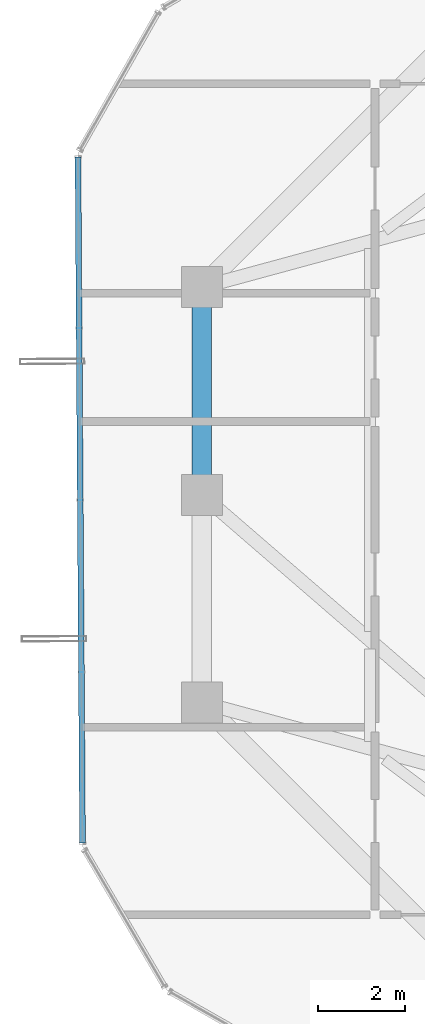
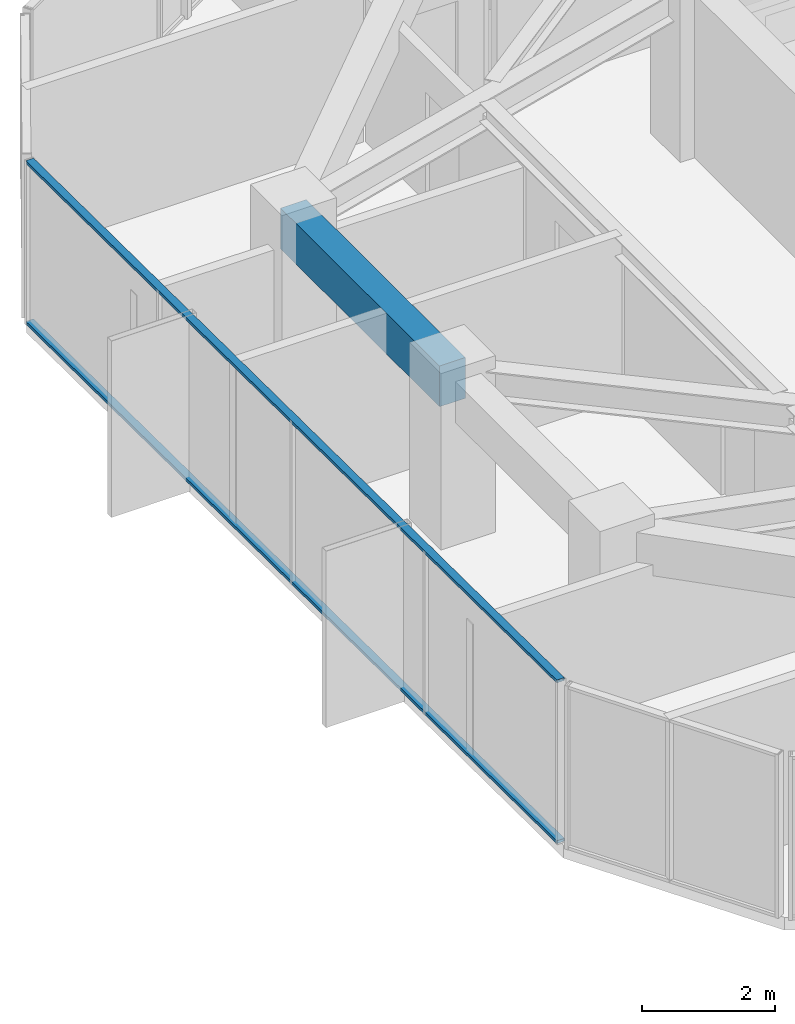
# One storey, part 12 of 31: 2 members, 1 beam, 1 element without a shape of its own.
"""IFC4 building model written with IfcOpenShell, lengths in metres."""

from ifc_helpers import new_model, si_unit, direction, frame, origin, origin_2d, place, context, subcontext, project, spatial, rectangle, hollow_rectangle, extrude, source, transform, mapped, material, layer, layer_set, material_profile, profile_set, type_object, element, aggregate, save


model = new_model("IFC4")

# Units and contexts
model_context = context("Model", 3, precision=1e-05, world=origin(), true_north=direction((0.0, 1.0)))
body_context = subcontext(model_context, "Body", "Model", "MODEL_VIEW")
ifc_project = project(units=[si_unit("LENGTHUNIT", "METRE"), si_unit("AREAUNIT", "SQUARE_METRE"), si_unit("VOLUMEUNIT", "CUBIC_METRE"), si_unit("PLANEANGLEUNIT", "RADIAN"), si_unit("MASSUNIT", "GRAM", prefix="KILO")], contexts=[model_context])

# Site, building, storey
site_placement = place(None, origin())
site = spatial("IfcSite", under=ifc_project, at=site_placement, CompositionType="ELEMENT")
building_placement = place(site_placement, origin())
building = spatial("IfcBuilding", under=site, at=building_placement, Name="Veraguas Prism Commons", CompositionType="ELEMENT")
storey_placement = place(building_placement, frame((0.0, 0.0, 204.85009765625)))
storey = spatial("IfcBuildingStorey", under=building, at=storey_placement, Name="L58", CompositionType="ELEMENT", Elevation=204.85009765625)

# Beam
ifc_material_1 = material(Name="Concrete C50/60", Category="concrete")
ifc_material_profile_1 = material_profile(ifc_material_1, rectangle(XDim=0.449951171875, YDim=0.75, at=origin_2d()), Name="RC450X750")
ifc_profile_set_1 = profile_set([ifc_material_profile_1], Name="Concrete C50/60")
beam_type = type_object("IfcBeamType", Name="Perimeter Spandrel Upper RC 450x750", PredefinedType="SPANDREL", material=ifc_profile_set_1)
beam_placement = place(storey_placement, frame((9.10009765625, 28.800048828125, 2.639892578125), z_axis=(0.0, -1.0, 0.0), x_axis=(1.0, 0.0, 0.0)))
element("IfcBeam", 1, at=beam_placement, inside=storey, type_object=beam_type, Name="Perimeter Spandrel Beam L58-SP07", PredefinedType="SPANDREL", context=body_context, shape_type="SweptSolid", body=[
    extrude(rectangle(XDim=0.449951171875, YDim=0.75, at=origin_2d()), origin(), (0.0, 0.0, 1.0), 4.800048828125),
])

# Curtain wall, members
ifc_material_2 = material(Name="Anodised aluminium EN AW-6063 T6", Category="aluminium")
ifc_layer = layer(ifc_material_2, 0.14990234375, Name="Unitised Flush Curtain Wall Zone 3", Category="aluminium")
ifc_layer_set = layer_set([ifc_layer], Name="Anodised aluminium EN AW-6063 T6")
curtain_wall_type = type_object("IfcCurtainWallType", Name="Unitised Flush Curtain Wall Zone 3", PredefinedType="NOTDEFINED", material=ifc_layer_set)
curtain_wall_placement = place(storey_placement, origin())
curtain_wall = element("IfcCurtainWall", 2, at=curtain_wall_placement, inside=storey, type_object=curtain_wall_type, Name="Tower Facade Curtain Wall L58-F3", PredefinedType="NOTDEFINED")
ifc_material_profile_2 = material_profile(ifc_material_2, hollow_rectangle(XDim=0.054931640625, YDim=0.135009765625, WallThickness=0.0029296875, at=origin_2d()), Name="AL55X135X3")
ifc_profile_set_2 = profile_set([ifc_material_profile_2], Name="Anodised aluminium EN AW-6063 T6")
member_type = type_object("IfcMemberType", Name="Curtain Wall Transom Standard AL 55x135x3", PredefinedType="USERDEFINED", material=ifc_profile_set_2)
shared_shape = source(origin(), body_context, "Body", "SweptSolid", [
    extrude(hollow_rectangle(XDim=0.054931640625, YDim=0.135009765625, WallThickness=0.0029296875, at=origin_2d()), origin(), (0.0, 0.0, 1.0), 15.842529296875),
])
member_1_placement = place(storey_placement, frame((6.237548828125, 31.8037109375, 0.02734375), z_axis=(0.006641863049, -0.999977942584, 0.0), x_axis=(0.0, 0.0, 1.0)))
member_1 = element("IfcMember", 3, at=member_1_placement, type_object=member_type, Name="CW-Z3 Transom 1", ObjectType="TRANSOM", PredefinedType="USERDEFINED", context=body_context, shape_type="MappedRepresentation", body=[
    mapped(shared_shape, transform((0.0, 0.0, 0.0), scale=1.0)),
])
member_2_placement = place(storey_placement, frame((6.237548828125, 31.8037109375, 2.9873046875), z_axis=(0.006641863049, -0.999977942584, 0.0), x_axis=(0.0, 0.0, 1.0)))
member_2 = element("IfcMember", 4, at=member_2_placement, type_object=member_type, Name="CW-Z3 Transom 2", ObjectType="TRANSOM", PredefinedType="USERDEFINED", context=body_context, shape_type="MappedRepresentation", body=[
    mapped(shared_shape, transform((0.0, 0.0, 0.0), scale=1.0)),
])
aggregate(curtain_wall, [member_1, member_2])

save(model, "model.ifc")
